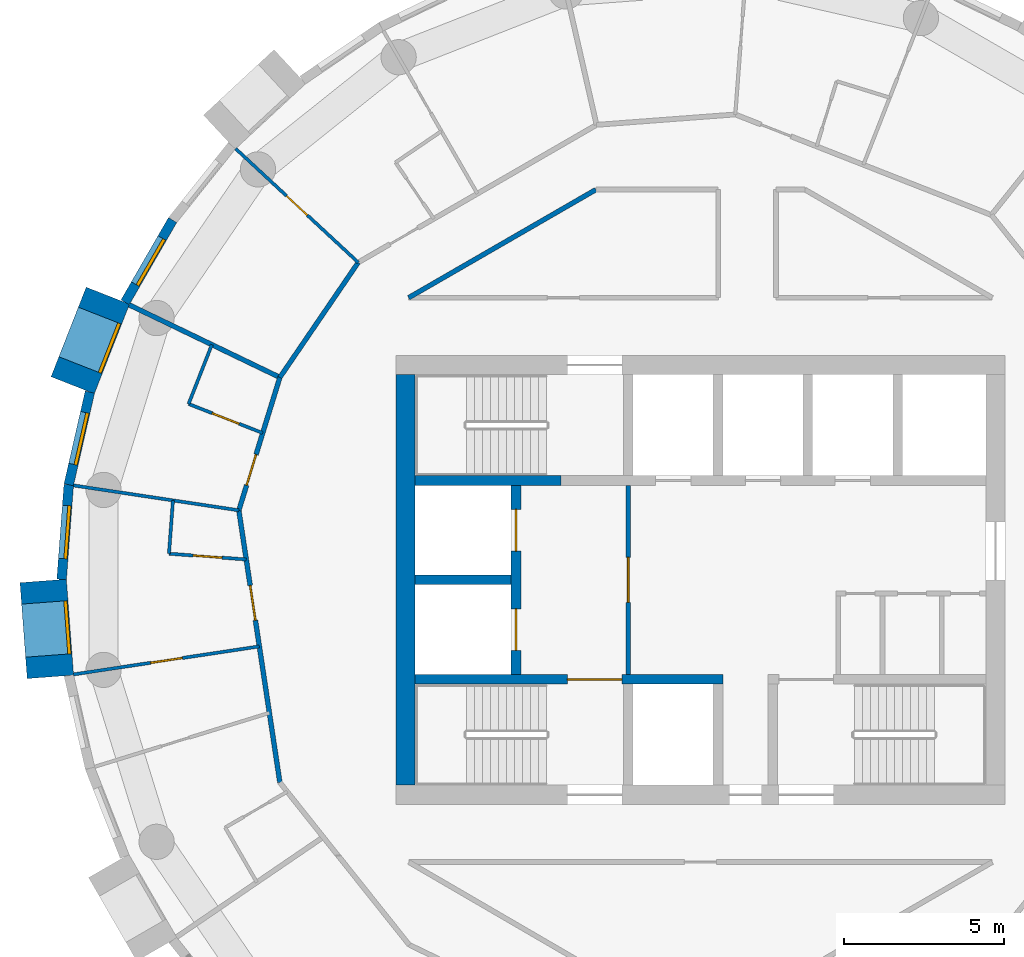
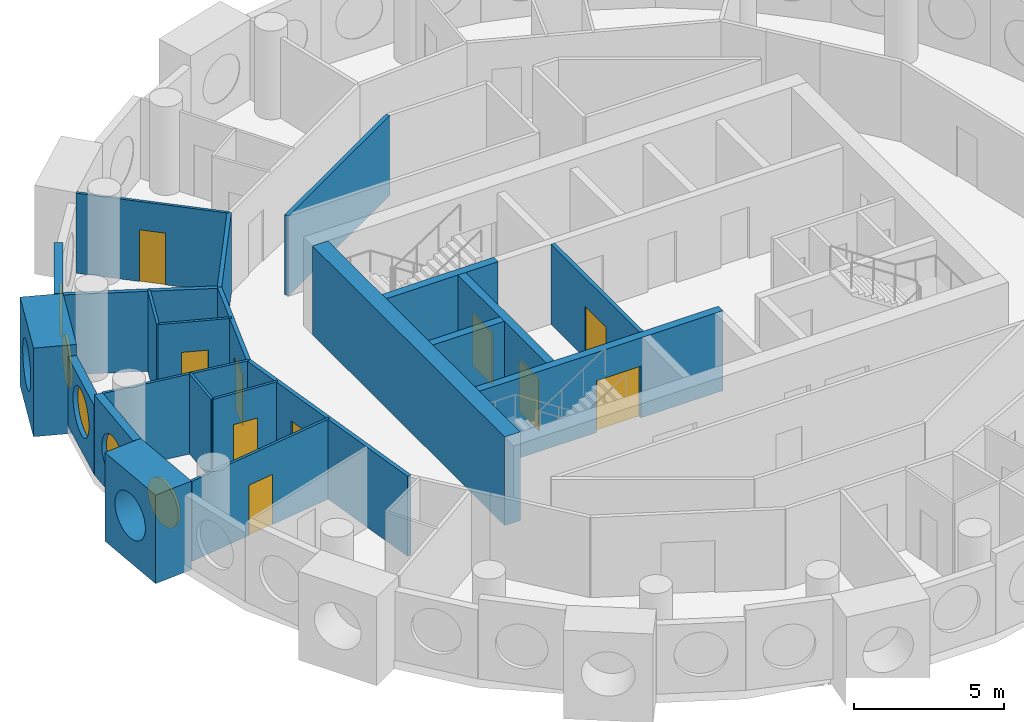
# One storey, part 5 of 11: 24 walls, 10 doors, 5 windows, 15 openings.
"""IFC4 building model written with IfcOpenShell, lengths in metres."""

from ifc_helpers import new_model, si_unit, direction, frame, frame_2d, origin, origin_2d, place, context, subcontext, project, spatial, rectangle, circle, extrude, material, layer, layer_set, type_object, element, fill, save


model = new_model("IFC4")

# Units and contexts
model_context = context("Model", 3, precision=1e-05, world=origin(), true_north=direction((0.0, 1.0)))
body_context = subcontext(model_context, "Body", "Model", "MODEL_VIEW")
ifc_project = project(units=[si_unit("LENGTHUNIT", "METRE"), si_unit("AREAUNIT", "SQUARE_METRE"), si_unit("VOLUMEUNIT", "CUBIC_METRE"), si_unit("PLANEANGLEUNIT", "RADIAN"), si_unit("MASSUNIT", "GRAM", prefix="KILO")], contexts=[model_context])

# Site, building, storey
site_placement = place(None, origin())
site = spatial("IfcSite", under=ifc_project, at=site_placement, CompositionType="ELEMENT")
building_placement = place(site_placement, origin())
building = spatial("IfcBuilding", under=site, at=building_placement, Name="Tracery Tower", CompositionType="ELEMENT")
storey_placement = place(building_placement, frame((0.0, 0.0, 267.0)))
storey = spatial("IfcBuildingStorey", under=building, at=storey_placement, Name="L69", CompositionType="ELEMENT", Elevation=267.0)

# Wall, opening, door
ifc_material_1 = material(Name="Plasterboard on steel studs", Category="steel")
ifc_layer_1 = layer(ifc_material_1, 0.14990234375)
ifc_layer_set_1 = layer_set([ifc_layer_1], Name="Core lobby partition 150")
wall_type_1 = type_object("IfcWallType", Name="Core lobby partition 150", PredefinedType="SOLIDWALL", material=ifc_layer_set_1)
wall_1_placement = place(storey_placement, frame((-2.25, -2.949951171875, 0.0), z_axis=(0.0, 0.0, 1.0), x_axis=(0.0, 1.0, 0.0)))
wall_1 = element("IfcWall", 1, at=wall_1_placement, inside=storey, type_object=wall_type_1, Name="L69 FF lobby E", PredefinedType="SOLIDWALL", context=body_context, shape_type="SweptSolid", body=[
    extrude(rectangle(XDim=5.89990234375, YDim=0.14990234375, at=frame_2d((2.949951171875, 0.0))), origin(), (0.0, 0.0, 1.0), 3.25),
])
opening_1_placement = place(wall_1_placement, frame((2.25, 0.0, 0.0)))
opening_1 = element("IfcOpeningElement", 2, at=opening_1_placement, cuts=wall_1, Name="Opening KD8", PredefinedType="OPENING", context=body_context, shape_type="SweptSolid", body=[
    extrude(rectangle(XDim=1.39990234375, YDim=2.10009765625, at=frame_2d((0.699951171875, 1.050048828125))), frame((0.0, 0.074951171875, 0.0), z_axis=(0.0, -1.0, 0.0), x_axis=(1.0, 0.0, 0.0)), (0.0, 0.0, 1.0), 0.14990234375),
])
ifc_material_2 = material(Name="Steel fire door", Category="steel")
door_type_1 = type_object("IfcDoorType", Name="Core lobby door 1400 double", OperationType="NOTDEFINED", PredefinedType="DOOR", material=ifc_material_2)
door_1_placement = place(opening_1_placement, origin())
door_1 = element("IfcDoor", 3, at=door_1_placement, inside=storey, type_object=door_type_1, Name="Fire-fighting lobby door", OperationType="DOUBLE_DOOR_SINGLE_SWING", OverallHeight=2.10009765625, OverallWidth=1.39990234375, PredefinedType="DOOR", context=body_context, shape_type="SweptSolid", body=[
    extrude(rectangle(XDim=1.39990234375, YDim=2.10009765625, at=frame_2d((0.699951171875, 1.050048828125))), frame((0.0, 0.02490234375, 0.0), z_axis=(0.0, -1.0, 0.0), x_axis=(1.0, 0.0, 0.0)), (0.0, 0.0, 1.0), 0.050048828125),
])
fill(opening_1, door_1)

# Wall
ifc_material_3 = material(Name="Concrete C40/50", Category="concrete")
ifc_layer_2 = layer(ifc_material_3, 0.60009765625)
ifc_layer_set_2 = layer_set([ifc_layer_2], Name="Core wall 600 C40")
wall_type_2 = type_object("IfcWallType", Name="Core wall 600 C40", PredefinedType="SOLIDWALL", material=ifc_layer_set_2)
wall_2_placement = place(storey_placement, frame((-9.199951171875, -6.39990234375, 0.0), z_axis=(0.0, 0.0, 1.0), x_axis=(0.0, 1.0, 0.0)))
element("IfcWall", 4, at=wall_2_placement, inside=storey, type_object=wall_type_2, Name="L69 outer W", PredefinedType="SOLIDWALL", context=body_context, shape_type="SweptSolid", body=[
    extrude(rectangle(XDim=12.7998046875, YDim=0.60009765625, at=frame_2d((6.39990234375, 0.0))), origin(), (0.0, 0.0, 1.0), 3.60009765625),
])

# Wall, opening, window
ifc_material_4 = material(Name="Precast concrete C50/60", Category="concrete")
ifc_layer_3 = layer(ifc_material_4, 1.449951171875)
ifc_layer_set_3 = layer_set([ifc_layer_3], Name="Deep-set bay unit 3000 x 3600, slab edge 350")
wall_type_3 = type_object("IfcWallType", Name="Deep-set bay unit 3000 x 3600, slab edge 350", PredefinedType="ELEMENTEDWALL", material=ifc_layer_set_3)
wall_3_placement = place(storey_placement, frame((-18.47998046875, 8.8642578125, -0.35009765625), z_axis=(0.0, 0.0, 1.0), x_axis=(-0.36537792632, -0.93085926485, 0.0)))
wall_3 = element("IfcWall", 5, at=wall_3_placement, inside=storey, type_object=wall_type_3, Name="Deep-set bay unit 19 at L69", PredefinedType="ELEMENTEDWALL", context=body_context, shape_type="SweptSolid", body=[
    extrude(rectangle(XDim=3.000244140625, YDim=1.449951171875, at=frame_2d((1.5, 0.0))), origin(), (0.0, 0.0, 1.0), 3.60009765625),
])
opening_2_placement = place(wall_3_placement, frame((1.5, 0.0, 1.89990234375)))
opening_2 = element("IfcOpeningElement", 6, at=opening_2_placement, cuts=wall_3, Name="Opening WN1", PredefinedType="OPENING", context=body_context, shape_type="SweptSolid", body=[
    extrude(circle(Radius=0.9000244140625, at=origin_2d()), frame((0.0, 0.73486328125, 0.0), z_axis=(0.0, -1.0, 0.0), x_axis=(1.0, 0.0, 0.0)), (0.0, 0.0, 1.0), 1.469970703125),
])
ifc_material_5 = material(Name="Aluminium frame with tinted double glazing", Category="aluminium")
window_type = type_object("IfcWindowType", Name="Round window 1800", PartitioningType="SINGLE_PANEL", PredefinedType="WINDOW", material=ifc_material_5)
window_1_placement = place(opening_2_placement, origin())
window_1 = element("IfcWindow", 7, at=window_1_placement, inside=storey, type_object=window_type, Name="Round window 19 at L69", OverallHeight=1.800048828125, OverallWidth=1.800048828125, PartitioningType="SINGLE_PANEL", PredefinedType="WINDOW", context=body_context, shape_type="SweptSolid", body=[
    extrude(circle(Radius=0.9000244140625, at=origin_2d()), frame((0.0, 0.69482421875, 0.0), z_axis=(0.0, -1.0, 0.0), x_axis=(1.0, 0.0, 0.0)), (0.0, 0.0, 1.0), 0.10009765625),
])
fill(opening_2, window_1)

wall_4_placement = place(storey_placement, frame((-20.49609375, -0.03173828125, -0.35009765625), z_axis=(0.0, 0.0, 1.0), x_axis=(0.074785902127, -0.997199613339, 0.0)))
wall_4 = element("IfcWall", 8, at=wall_4_placement, inside=storey, type_object=wall_type_3, Name="Deep-set bay unit 22 at L69", PredefinedType="ELEMENTEDWALL", context=body_context, shape_type="SweptSolid", body=[
    extrude(rectangle(XDim=3.0, YDim=1.449951171875, at=frame_2d((1.5, 0.0))), origin(), (0.0, 0.0, 1.0), 3.60009765625),
])
opening_3_placement = place(wall_4_placement, frame((1.5, 0.0, 1.89990234375)))
opening_3 = element("IfcOpeningElement", 9, at=opening_3_placement, cuts=wall_4, Name="Opening WN1", PredefinedType="OPENING", context=body_context, shape_type="SweptSolid", body=[
    extrude(circle(Radius=0.9000244140625, at=origin_2d()), frame((0.0, 0.73486328125, 0.0), z_axis=(0.0, -1.0, 0.0), x_axis=(1.0, 0.0, 0.0)), (0.0, 0.0, 1.0), 1.469970703125),
])
window_2_placement = place(opening_3_placement, origin())
window_2 = element("IfcWindow", 10, at=window_2_placement, inside=storey, type_object=window_type, Name="Round window 22 at L69", OverallHeight=1.800048828125, OverallWidth=1.800048828125, PartitioningType="SINGLE_PANEL", PredefinedType="WINDOW", context=body_context, shape_type="SweptSolid", body=[
    extrude(circle(Radius=0.9000244140625, at=origin_2d()), frame((0.0, 0.69482421875, 0.0), z_axis=(0.0, -1.0, 0.0), x_axis=(1.0, 0.0, 0.0)), (0.0, 0.0, 1.0), 0.10009765625),
])
fill(opening_3, window_2)

ifc_material_6 = material(Name="Precast concrete C50/60", Category="concrete")
ifc_layer_4 = layer(ifc_material_6, 0.300048828125)
ifc_layer_set_4 = layer_set([ifc_layer_4], Name="Facade panel 3000 x 2800")
wall_type_4 = type_object("IfcWallType", Name="Facade panel 3000 x 2800", PredefinedType="SOLIDWALL", material=ifc_layer_set_4)
wall_5_placement = place(storey_placement, frame((-19.0400390625, 5.857177734375, 0.0), z_axis=(0.0, 0.0, 1.0), x_axis=(-0.222529389789, -0.974925982155, 0.0)))
wall_5 = element("IfcWall", 11, at=wall_5_placement, inside=storey, type_object=wall_type_4, Name="Facade panel 20 at L69", PredefinedType="SOLIDWALL", context=body_context, shape_type="SweptSolid", body=[
    extrude(rectangle(XDim=2.962158203125, YDim=0.300048828125, at=frame_2d((1.48095703125, 0.0))), origin(), (0.0, 0.0, 1.0), 2.800048828125),
])
opening_4_placement = place(wall_5_placement, frame((1.48095703125, 0.0, 1.5498046875)))
opening_4 = element("IfcOpeningElement", 12, at=opening_4_placement, cuts=wall_5, Name="Opening WN1", PredefinedType="OPENING", context=body_context, shape_type="SweptSolid", body=[
    extrude(circle(Radius=0.9000244140625, at=origin_2d()), frame((0.0, 0.159912109375, 0.0), z_axis=(0.0, -1.0, 0.0), x_axis=(1.0, 0.0, 0.0)), (0.0, 0.0, 1.0), 0.320068359375),
])
window_3_placement = place(opening_4_placement, origin())
window_3 = element("IfcWindow", 13, at=window_3_placement, inside=storey, type_object=window_type, Name="Round window 20 at L69", OverallHeight=1.800048828125, OverallWidth=1.800048828125, PartitioningType="SINGLE_PANEL", PredefinedType="WINDOW", context=body_context, shape_type="SweptSolid", body=[
    extrude(circle(Radius=0.9000244140625, at=origin_2d()), frame((0.0, 0.1201171875, 0.0), z_axis=(0.0, -1.0, 0.0), x_axis=(1.0, 0.0, 0.0)), (0.0, 0.0, 1.0), 0.10009765625),
])
fill(opening_4, window_3)

ifc_material_7 = material(Name="Precast concrete C50/60", Category="concrete")
ifc_layer_5 = layer(ifc_material_7, 0.300048828125)
ifc_layer_set_5 = layer_set([ifc_layer_5], Name="Facade panel 3000 x 3250")
wall_type_5 = type_object("IfcWallType", Name="Facade panel 3000 x 3250", PredefinedType="SOLIDWALL", material=ifc_layer_set_5)
wall_6_placement = place(storey_placement, frame((-16.460205078125, 11.222412109375, 0.0), z_axis=(0.0, 0.0, 1.0), x_axis=(-0.499950756475, -0.86605383268, 0.0)))
wall_6 = element("IfcWall", 14, at=wall_6_placement, inside=storey, type_object=wall_type_5, Name="Facade panel 18 at L69", PredefinedType="SOLIDWALL", context=body_context, shape_type="SweptSolid", body=[
    extrude(rectangle(XDim=2.962158203125, YDim=0.300048828125, at=frame_2d((1.48095703125, 0.0))), origin(), (0.0, 0.0, 1.0), 3.25),
])
opening_5_placement = place(wall_6_placement, frame((1.48095703125, 0.0, 1.5498046875)))
opening_5 = element("IfcOpeningElement", 15, at=opening_5_placement, cuts=wall_6, Name="Opening WN1", PredefinedType="OPENING", context=body_context, shape_type="SweptSolid", body=[
    extrude(circle(Radius=0.9000244140625, at=origin_2d()), frame((0.0, 0.159912109375, 0.0), z_axis=(0.0, -1.0, 0.0), x_axis=(1.0, 0.0, 0.0)), (0.0, 0.0, 1.0), 0.320068359375),
])
window_4_placement = place(opening_5_placement, origin())
window_4 = element("IfcWindow", 16, at=window_4_placement, inside=storey, type_object=window_type, Name="Round window 18 at L69", OverallHeight=1.800048828125, OverallWidth=1.800048828125, PartitioningType="SINGLE_PANEL", PredefinedType="WINDOW", context=body_context, shape_type="SweptSolid", body=[
    extrude(circle(Radius=0.9000244140625, at=origin_2d()), frame((0.0, 0.1201171875, 0.0), z_axis=(0.0, -1.0, 0.0), x_axis=(1.0, 0.0, 0.0)), (0.0, 0.0, 1.0), 0.10009765625),
])
fill(opening_5, window_4)

wall_7_placement = place(storey_placement, frame((-19.69921875, 2.96923828125, 0.0), z_axis=(0.0, 0.0, 1.0), x_axis=(-0.07474897196, -0.997202382263, 0.0)))
wall_7 = element("IfcWall", 17, at=wall_7_placement, inside=storey, type_object=wall_type_5, Name="Facade panel 21 at L69", PredefinedType="SOLIDWALL", context=body_context, shape_type="SweptSolid", body=[
    extrude(rectangle(XDim=2.96240234375, YDim=0.300048828125, at=frame_2d((1.481201171875, 0.0))), origin(), (0.0, 0.0, 1.0), 3.25),
])
opening_6_placement = place(wall_7_placement, frame((1.48095703125, 0.0, 1.5498046875)))
opening_6 = element("IfcOpeningElement", 18, at=opening_6_placement, cuts=wall_7, Name="Opening WN1", PredefinedType="OPENING", context=body_context, shape_type="SweptSolid", body=[
    extrude(circle(Radius=0.9000244140625, at=origin_2d()), frame((0.0, 0.159912109375, 0.0), z_axis=(0.0, -1.0, 0.0), x_axis=(1.0, 0.0, 0.0)), (0.0, 0.0, 1.0), 0.320068359375),
])
window_5_placement = place(opening_6_placement, origin())
window_5 = element("IfcWindow", 19, at=window_5_placement, inside=storey, type_object=window_type, Name="Round window 21 at L69", OverallHeight=1.800048828125, OverallWidth=1.800048828125, PartitioningType="SINGLE_PANEL", PredefinedType="WINDOW", context=body_context, shape_type="SweptSolid", body=[
    extrude(circle(Radius=0.9000244140625, at=origin_2d()), frame((0.0, 0.1201171875, 0.0), z_axis=(0.0, -1.0, 0.0), x_axis=(1.0, 0.0, 0.0)), (0.0, 0.0, 1.0), 0.10009765625),
])
fill(opening_6, window_5)

# Wall, opening, door
ifc_material_8 = material(Name="Plasterboard on steel studs", Category="steel")
ifc_layer_6 = layer(ifc_material_8, 0.10009765625)
ifc_layer_set_6 = layer_set([ifc_layer_6], Name="Partition 100 stud")
wall_type_6 = type_object("IfcWallType", Name="Partition 100 stud", PredefinedType="PARTITIONING", material=ifc_layer_set_6)
wall_8_placement = place(storey_placement, frame((-14.492919921875, 13.447998046875, 0.0), z_axis=(0.0, 0.0, 1.0), x_axis=(0.732975231717, -0.680255326836, 0.0)))
wall_8 = element("IfcWall", 20, at=wall_8_placement, inside=storey, type_object=wall_type_6, Name="Stud partition RC4-048", PredefinedType="PARTITIONING", context=body_context, shape_type="SweptSolid", body=[
    extrude(rectangle(XDim=5.21435546875, YDim=0.10009765625, at=frame_2d((2.607177734375, 0.0))), origin(), (0.0, 0.0, 1.0), 3.25),
])
opening_7_placement = place(wall_8_placement, frame((2.1572265625, 0.0, 0.0)))
opening_7 = element("IfcOpeningElement", 21, at=opening_7_placement, cuts=wall_8, Name="Opening RC4-10", PredefinedType="OPENING", context=body_context, shape_type="SweptSolid", body=[
    extrude(rectangle(XDim=0.89990234375, YDim=2.10009765625, at=frame_2d((0.449951171875, 1.050048828125))), frame((0.0, 0.050048828125, 0.0), z_axis=(0.0, -1.0, 0.0), x_axis=(1.0, 0.0, 0.0)), (0.0, 0.0, 1.0), 0.10009765625),
])
ifc_material_9 = material(Name="Timber door leaf", Category="wood")
door_type_2 = type_object("IfcDoorType", Name="Door bedroom 900", OperationType="NOTDEFINED", PredefinedType="DOOR", material=ifc_material_9)
door_2_placement = place(opening_7_placement, origin())
door_2 = element("IfcDoor", 22, at=door_2_placement, inside=storey, type_object=door_type_2, Name="Bedroom door RC4-10", OperationType="SINGLE_SWING_LEFT", OverallHeight=2.10009765625, OverallWidth=0.89990234375, PredefinedType="DOOR", context=body_context, shape_type="SweptSolid", body=[
    extrude(rectangle(XDim=0.89990234375, YDim=2.10009765625, at=frame_2d((0.449951171875, 1.050048828125))), frame((0.0, 0.02490234375, 0.0), z_axis=(0.0, -1.0, 0.0), x_axis=(1.0, 0.0, 0.0)), (0.0, 0.0, 1.0), 0.050048828125),
])
fill(opening_7, door_2)

wall_9_placement = place(storey_placement, frame((-19.551025390625, -2.947021484375, 0.0), z_axis=(0.0, 0.0, 1.0), x_axis=(0.988820879867, 0.149108241014, 0.0)))
wall_9 = element("IfcWall", 23, at=wall_9_placement, inside=storey, type_object=wall_type_6, Name="Stud partition RC4-053", PredefinedType="PARTITIONING", context=body_context, shape_type="SweptSolid", body=[
    extrude(rectangle(XDim=5.861572265625, YDim=0.10009765625, at=frame_2d((2.9306640625, 0.0))), origin(), (0.0, 0.0, 1.0), 3.25),
])
opening_8_placement = place(wall_9_placement, frame((2.430419921875, 0.0, 0.0)))
opening_8 = element("IfcOpeningElement", 24, at=opening_8_placement, cuts=wall_9, Name="Opening RC4-14", PredefinedType="OPENING", context=body_context, shape_type="SweptSolid", body=[
    extrude(rectangle(XDim=1.0, YDim=2.0400390625, at=frame_2d((0.5, 1.02001953125))), frame((0.0, 0.050048828125, 0.0), z_axis=(0.0, -1.0, 0.0), x_axis=(1.0, 0.0, 0.0)), (0.0, 0.0, 1.0), 0.10009765625),
])
ifc_material_10 = material(Name="Timber door leaf", Category="wood")
door_type_3 = type_object("IfcDoorType", Name="Door communal room 1000", OperationType="NOTDEFINED", PredefinedType="DOOR", material=ifc_material_10)
door_3_placement = place(opening_8_placement, origin())
door_3 = element("IfcDoor", 25, at=door_3_placement, inside=storey, type_object=door_type_3, Name="Communal room door RC4-14", OperationType="SINGLE_SWING_RIGHT", OverallHeight=2.0400390625, OverallWidth=1.0, PredefinedType="DOOR", context=body_context, shape_type="SweptSolid", body=[
    extrude(rectangle(XDim=1.0, YDim=2.0400390625, at=frame_2d((0.5, 1.02001953125))), frame((0.0, 0.02490234375, 0.0), z_axis=(0.0, -1.0, 0.0), x_axis=(1.0, 0.0, 0.0)), (0.0, 0.0, 1.0), 0.050048828125),
])
fill(opening_8, door_3)

# Walls
wall_10_placement = place(storey_placement, frame((-19.551025390625, 2.947021484375, 0.0), z_axis=(0.0, 0.0, 1.0), x_axis=(0.98885514456, -0.14888083516, 0.0)))
element("IfcWall", 26, at=wall_10_placement, inside=storey, type_object=wall_type_6, Name="Stud partition RC4-056", PredefinedType="PARTITIONING", context=body_context, shape_type="SweptSolid", body=[
    extrude(rectangle(XDim=3.136962890625, YDim=0.10009765625, at=frame_2d((1.568359375, 0.0))), origin(), (0.0, 0.0, 1.0), 3.25),
])
ifc_material_11 = material(Name="Plasterboard on steel studs", Category="steel")
ifc_layer_7 = layer(ifc_material_11, 0.10009765625)
ifc_layer_set_7 = layer_set([ifc_layer_7], Name="Partition 100 wet wall")
wall_type_7 = type_object("IfcWallType", Name="Partition 100 wet wall", PredefinedType="PARTITIONING", material=ifc_layer_set_7)
wall_11_placement = place(storey_placement, frame((-16.572998046875, 0.818115234375, 0.0), z_axis=(0.0, 0.0, 1.0), x_axis=(0.074422099282, 0.997226830334, 0.0)))
element("IfcWall", 27, at=wall_11_placement, inside=storey, type_object=wall_type_7, Name="Wet wall RC4-054", PredefinedType="PARTITIONING", context=body_context, shape_type="SweptSolid", body=[
    extrude(rectangle(XDim=1.66650390625, YDim=0.10009765625, at=frame_2d((0.833251953125, 0.0))), origin(), (0.0, 0.0, 1.0), 3.25),
])

# Wall, opening, door
wall_12_placement = place(storey_placement, frame((-16.572998046875, 0.818115234375, 0.0), z_axis=(0.0, 0.0, 1.0), x_axis=(0.997216800215, -0.074556377121, 0.0)))
wall_12 = element("IfcWall", 28, at=wall_12_placement, inside=storey, type_object=wall_type_7, Name="Wet wall RC4-055", PredefinedType="PARTITIONING", context=body_context, shape_type="SweptSolid", body=[
    extrude(rectangle(XDim=2.416748046875, YDim=0.10009765625, at=frame_2d((1.20849609375, 0.0))), origin(), (0.0, 0.0, 1.0), 3.25),
])
opening_9_placement = place(wall_12_placement, frame((0.758056640625, 0.0, 0.0)))
opening_9 = element("IfcOpeningElement", 29, at=opening_9_placement, cuts=wall_12, Name="Opening RC4-15", PredefinedType="OPENING", context=body_context, shape_type="SweptSolid", body=[
    extrude(rectangle(XDim=0.89990234375, YDim=2.0, at=frame_2d((0.449951171875, 1.0))), frame((0.0, 0.050048828125, 0.0), z_axis=(0.0, -1.0, 0.0), x_axis=(1.0, 0.0, 0.0)), (0.0, 0.0, 1.0), 0.10009765625),
])
ifc_material_12 = material(Name="Timber door leaf", Category="wood")
door_type_4 = type_object("IfcDoorType", Name="Door shower room 900", OperationType="NOTDEFINED", PredefinedType="DOOR", material=ifc_material_12)
door_4_placement = place(opening_9_placement, origin())
door_4 = element("IfcDoor", 30, at=door_4_placement, inside=storey, type_object=door_type_4, Name="Shower room door RC4-15", OperationType="SINGLE_SWING_LEFT", OverallHeight=2.0, OverallWidth=0.89990234375, PredefinedType="DOOR", context=body_context, shape_type="SweptSolid", body=[
    extrude(rectangle(XDim=0.89990234375, YDim=2.0, at=frame_2d((0.449951171875, 1.0))), frame((0.0, 0.02490234375, 0.0), z_axis=(0.0, -1.0, 0.0), x_axis=(1.0, 0.0, 0.0)), (0.0, 0.0, 1.0), 0.050048828125),
])
fill(opening_9, door_4)

# Walls
wall_13_placement = place(storey_placement, frame((-16.448974609375, 2.47998046875, 0.0), z_axis=(0.0, 0.0, 1.0), x_axis=(0.988807590235, -0.149196345444, 0.0)))
element("IfcWall", 31, at=wall_13_placement, inside=storey, type_object=wall_type_7, Name="Wet wall RC4-058", PredefinedType="PARTITIONING", context=body_context, shape_type="SweptSolid", body=[
    extrude(rectangle(XDim=2.078125, YDim=0.10009765625, at=frame_2d((1.0390625, 0.0))), origin(), (0.0, 0.0, 1.0), 3.25),
])
wall_14_placement = place(storey_placement, frame((-15.9609375, 5.488037109375, 0.0), z_axis=(0.0, 0.0, 1.0), x_axis=(0.365427989951, 0.930839612479, 0.0)))
element("IfcWall", 32, at=wall_14_placement, inside=storey, type_object=wall_type_7, Name="Wet wall RC4-059", PredefinedType="PARTITIONING", context=body_context, shape_type="SweptSolid", body=[
    extrude(rectangle(XDim=1.986328125, YDim=0.10009765625, at=frame_2d((0.9931640625, 0.0))), origin(), (0.0, 0.0, 1.0), 3.25),
])

# Wall, opening, door
wall_15_placement = place(storey_placement, frame((-15.9609375, 5.488037109375, 0.0), z_axis=(0.0, 0.0, 1.0), x_axis=(0.930878137474, -0.365329841614, 0.0)))
wall_15 = element("IfcWall", 33, at=wall_15_placement, inside=storey, type_object=wall_type_7, Name="Wet wall RC4-060", PredefinedType="PARTITIONING", context=body_context, shape_type="SweptSolid", body=[
    extrude(rectangle(XDim=2.482666015625, YDim=0.10009765625, at=frame_2d((1.2412109375, 0.0))), origin(), (0.0, 0.0, 1.0), 3.25),
])
opening_10_placement = place(wall_15_placement, frame((0.791015625, 0.0, 0.0)))
opening_10 = element("IfcOpeningElement", 34, at=opening_10_placement, cuts=wall_15, Name="Opening RC4-17", PredefinedType="OPENING", context=body_context, shape_type="SweptSolid", body=[
    extrude(rectangle(XDim=0.89990234375, YDim=2.0400390625, at=frame_2d((0.449951171875, 1.02001953125))), frame((0.0, 0.050048828125, 0.0), z_axis=(0.0, -1.0, 0.0), x_axis=(1.0, 0.0, 0.0)), (0.0, 0.0, 1.0), 0.10009765625),
])
ifc_material_13 = material(Name="Timber door leaf", Category="wood")
door_type_5 = type_object("IfcDoorType", Name="Door en-suite 900", OperationType="NOTDEFINED", PredefinedType="DOOR", material=ifc_material_13)
door_5_placement = place(opening_10_placement, origin())
door_5 = element("IfcDoor", 35, at=door_5_placement, inside=storey, type_object=door_type_5, Name="En-suite door RC4-17", OperationType="SINGLE_SWING_LEFT", OverallHeight=2.0400390625, OverallWidth=0.89990234375, PredefinedType="DOOR", context=body_context, shape_type="SweptSolid", body=[
    extrude(rectangle(XDim=0.89990234375, YDim=2.0400390625, at=frame_2d((0.449951171875, 1.02001953125))), frame((0.0, 0.02490234375, 0.0), z_axis=(0.0, -1.0, 0.0), x_axis=(1.0, 0.0, 0.0)), (0.0, 0.0, 1.0), 0.050048828125),
])
fill(opening_10, door_5)

# Walls
ifc_material_14 = material(Name="Plasterboard on steel studs", Category="steel")
ifc_layer_8 = layer(ifc_material_14, 0.14990234375)
ifc_layer_set_8 = layer_set([ifc_layer_8], Name="Partition 150 acoustic unit wall")
wall_type_8 = type_object("IfcWallType", Name="Partition 150 acoustic unit wall", PredefinedType="PARTITIONING", material=ifc_layer_set_8)
wall_16_placement = place(storey_placement, frame((-17.81298828125, 8.577880859375, 0.0), z_axis=(0.0, 0.0, 1.0), x_axis=(0.901040981828, -0.433733961164, 0.0)))
element("IfcWall", 36, at=wall_16_placement, inside=storey, type_object=wall_type_8, Name="Unit wall RC4-052", PredefinedType="PARTITIONING", context=body_context, shape_type="SweptSolid", body=[
    extrude(rectangle(XDim=5.2138671875, YDim=0.14990234375, at=frame_2d((2.60693359375, 0.0))), origin(), (0.0, 0.0, 1.0), 3.25),
])
ifc_material_15 = material(Name="Plasterboard on steel studs", Category="steel")
ifc_layer_9 = layer(ifc_material_15, 0.14990234375)
ifc_layer_set_9 = layer_set([ifc_layer_9], Name="Partition 150 corridor wall")
wall_type_9 = type_object("IfcWallType", Name="Partition 150 corridor wall", PredefinedType="PARTITIONING", material=ifc_layer_set_9)
wall_17_placement = place(storey_placement, frame((-9.099365234375, 8.80078125, 0.0), z_axis=(0.0, 0.0, 1.0), x_axis=(0.866068593998, 0.499925184894, 0.0)))
element("IfcWall", 37, at=wall_17_placement, inside=storey, type_object=wall_type_9, Name="Corridor wall RC4-022", PredefinedType="PARTITIONING", context=body_context, shape_type="SweptSolid", body=[
    extrude(rectangle(XDim=6.7412109375, YDim=0.14990234375, at=frame_2d((3.37060546875, 0.0))), origin(), (0.0, 0.0, 1.0), 3.25),
])
wall_18_placement = place(storey_placement, frame((-13.114990234375, 6.31591796875, 0.0), z_axis=(0.0, 0.0, 1.0), x_axis=(0.563305396331, 0.826248770325, 0.0)))
element("IfcWall", 38, at=wall_18_placement, inside=storey, type_object=wall_type_9, Name="Corridor wall RC4-030", PredefinedType="PARTITIONING", context=body_context, shape_type="SweptSolid", body=[
    extrude(rectangle(XDim=4.3388671875, YDim=0.14990234375, at=frame_2d((2.16943359375, 0.0))), origin(), (0.0, 0.0, 1.0), 3.25),
])

# Wall, opening, door
wall_19_placement = place(storey_placement, frame((-14.394287109375, 2.169921875, 0.0), z_axis=(0.0, 0.0, 1.0), x_axis=(0.149099970299, -0.988822127006, 0.0)))
wall_19 = element("IfcWall", 39, at=wall_19_placement, inside=storey, type_object=wall_type_9, Name="Corridor wall RC4-031", PredefinedType="PARTITIONING", context=body_context, shape_type="SweptSolid", body=[
    extrude(rectangle(XDim=8.581787109375, YDim=0.14990234375, at=frame_2d((4.291015625, 0.0))), origin(), (0.0, 0.0, 1.0), 3.25),
])
opening_11_placement = place(wall_19_placement, frame((2.3701171875, 0.0, 0.0)))
opening_11 = element("IfcOpeningElement", 40, at=opening_11_placement, cuts=wall_19, Name="Opening RC4-13", PredefinedType="OPENING", context=body_context, shape_type="SweptSolid", body=[
    extrude(rectangle(XDim=1.10009765625, YDim=2.10009765625, at=frame_2d((0.550048828125, 1.050048828125))), frame((0.0, 0.074951171875, 0.0), z_axis=(0.0, -1.0, 0.0), x_axis=(1.0, 0.0, 0.0)), (0.0, 0.0, 1.0), 0.14990234375),
])
ifc_material_16 = material(Name="Timber door leaf", Category="wood")
door_type_6 = type_object("IfcDoorType", Name="Door cluster entrance 1100", OperationType="NOTDEFINED", PredefinedType="DOOR", material=ifc_material_16)
door_6_placement = place(opening_11_placement, origin())
door_6 = element("IfcDoor", 41, at=door_6_placement, inside=storey, type_object=door_type_6, Name="Cluster entrance door RC4-13", OperationType="SINGLE_SWING_RIGHT", OverallHeight=2.10009765625, OverallWidth=1.10009765625, PredefinedType="DOOR", context=body_context, shape_type="SweptSolid", body=[
    extrude(rectangle(XDim=1.10009765625, YDim=2.10009765625, at=frame_2d((0.550048828125, 1.050048828125))), frame((0.0, 0.02490234375, 0.0), z_axis=(0.0, -1.0, 0.0), x_axis=(1.0, 0.0, 0.0)), (0.0, 0.0, 1.0), 0.050048828125),
])
fill(opening_11, door_6)

wall_20_placement = place(storey_placement, frame((-14.39404296875, 2.169921875, 0.0), z_axis=(0.0, 0.0, 1.0), x_axis=(0.294793541578, 0.955560970239, 0.0)))
wall_20 = element("IfcWall", 42, at=wall_20_placement, inside=storey, type_object=wall_type_9, Name="Corridor wall RC4-032", PredefinedType="PARTITIONING", context=body_context, shape_type="SweptSolid", body=[
    extrude(rectangle(XDim=4.3388671875, YDim=0.14990234375, at=frame_2d((2.16943359375, 0.0))), origin(), (0.0, 0.0, 1.0), 3.25),
])
opening_12_placement = place(wall_20_placement, frame((0.820068359375, 0.0, 0.0)))
opening_12 = element("IfcOpeningElement", 43, at=opening_12_placement, cuts=wall_20, Name="Opening RC4-16", PredefinedType="OPENING", context=body_context, shape_type="SweptSolid", body=[
    extrude(rectangle(XDim=1.0, YDim=2.10009765625, at=frame_2d((0.5, 1.050048828125))), frame((0.0, 0.074951171875, 0.0), z_axis=(0.0, -1.0, 0.0), x_axis=(1.0, 0.0, 0.0)), (0.0, 0.0, 1.0), 0.14990234375),
])
ifc_material_17 = material(Name="Timber door leaf", Category="wood")
door_type_7 = type_object("IfcDoorType", Name="Door unit entrance 1000", OperationType="NOTDEFINED", PredefinedType="DOOR", material=ifc_material_17)
door_7_placement = place(opening_12_placement, origin())
door_7 = element("IfcDoor", 44, at=door_7_placement, inside=storey, type_object=door_type_7, Name="Unit entrance door RC4-16", OperationType="SINGLE_SWING_RIGHT", OverallHeight=2.10009765625, OverallWidth=1.0, PredefinedType="DOOR", context=body_context, shape_type="SweptSolid", body=[
    extrude(rectangle(XDim=1.0, YDim=2.10009765625, at=frame_2d((0.5, 1.050048828125))), frame((0.0, 0.02490234375, 0.0), z_axis=(0.0, -1.0, 0.0), x_axis=(1.0, 0.0, 0.0)), (0.0, 0.0, 1.0), 0.050048828125),
])
fill(opening_12, door_7)

# Wall
ifc_material_18 = material(Name="Concrete C40/50", Category="concrete")
ifc_layer_10 = layer(ifc_material_18, 0.300048828125)
ifc_layer_set_10 = layer_set([ifc_layer_10], Name="Shaft wall 300 C40")
wall_type_10 = type_object("IfcWallType", Name="Shaft wall 300 C40", PredefinedType="SOLIDWALL", material=ifc_layer_set_10)
wall_21_placement = place(storey_placement, frame((-8.89990234375, 0.0, 0.0), z_axis=(0.0, 0.0, 1.0), x_axis=(1.0, 0.0, 0.0)))
element("IfcWall", 45, at=wall_21_placement, inside=storey, type_object=wall_type_10, Name="L69 FF split", PredefinedType="SOLIDWALL", context=body_context, shape_type="SweptSolid", body=[
    extrude(rectangle(XDim=3.0, YDim=0.300048828125, at=frame_2d((1.5, 0.0))), origin(), (0.0, 0.0, 1.0), 3.25),
])

# Wall, openings, doors
wall_22_placement = place(storey_placement, frame((-5.75, -2.949951171875, 0.0), z_axis=(0.0, 0.0, 1.0), x_axis=(0.0, 1.0, 0.0)))
wall_22 = element("IfcWall", 46, at=wall_22_placement, inside=storey, type_object=wall_type_10, Name="L69 FF doors", PredefinedType="SOLIDWALL", context=body_context, shape_type="SweptSolid", body=[
    extrude(rectangle(XDim=5.89990234375, YDim=0.300048828125, at=frame_2d((2.949951171875, 0.0))), origin(), (0.0, 0.0, 1.0), 3.25),
])
opening_13_placement = place(wall_22_placement, frame((0.75, 0.0, 0.0)))
opening_13 = element("IfcOpeningElement", 47, at=opening_13_placement, cuts=wall_22, Name="Opening KD54", PredefinedType="OPENING", context=body_context, shape_type="SweptSolid", body=[
    extrude(rectangle(XDim=1.300048828125, YDim=2.10009765625, at=frame_2d((0.64990234375, 1.050048828125))), frame((0.0, 0.14990234375, 0.0), z_axis=(0.0, -1.0, 0.0), x_axis=(1.0, 0.0, 0.0)), (0.0, 0.0, 1.0), 0.300048828125),
])
opening_14_placement = place(wall_22_placement, frame((3.85009765625, 0.0, 0.0)))
opening_14 = element("IfcOpeningElement", 48, at=opening_14_placement, cuts=wall_22, Name="Opening KD55", PredefinedType="OPENING", context=body_context, shape_type="SweptSolid", body=[
    extrude(rectangle(XDim=1.300048828125, YDim=2.10009765625, at=frame_2d((0.64990234375, 1.050048828125))), frame((0.0, 0.14990234375, 0.0), z_axis=(0.0, -1.0, 0.0), x_axis=(1.0, 0.0, 0.0)), (0.0, 0.0, 1.0), 0.300048828125),
])
ifc_material_19 = material(Name="Steel fire door", Category="steel")
door_type_8 = type_object("IfcDoorType", Name="Landing door FF 1300", OperationType="NOTDEFINED", PredefinedType="DOOR", material=ifc_material_19)
door_8_placement = place(opening_13_placement, origin())
door_8 = element("IfcDoor", 49, at=door_8_placement, inside=storey, type_object=door_type_8, Name="Landing door FF1", OperationType="SLIDING_TO_LEFT", OverallHeight=2.10009765625, OverallWidth=1.300048828125, PredefinedType="DOOR", context=body_context, shape_type="SweptSolid", body=[
    extrude(rectangle(XDim=1.300048828125, YDim=2.10009765625, at=frame_2d((0.64990234375, 1.050048828125))), frame((0.0, 0.02490234375, 0.0), z_axis=(0.0, -1.0, 0.0), x_axis=(1.0, 0.0, 0.0)), (0.0, 0.0, 1.0), 0.050048828125),
])
fill(opening_13, door_8)
door_9_placement = place(opening_14_placement, origin())
door_9 = element("IfcDoor", 50, at=door_9_placement, inside=storey, type_object=door_type_8, Name="Landing door FF2", OperationType="SLIDING_TO_RIGHT", OverallHeight=2.10009765625, OverallWidth=1.300048828125, PredefinedType="DOOR", context=body_context, shape_type="SweptSolid", body=[
    extrude(rectangle(XDim=1.300048828125, YDim=2.10009765625, at=frame_2d((0.64990234375, 1.050048828125))), frame((0.0, 0.02490234375, 0.0), z_axis=(0.0, -1.0, 0.0), x_axis=(1.0, 0.0, 0.0)), (0.0, 0.0, 1.0), 0.050048828125),
])
fill(opening_14, door_9)

# Wall, opening, door
ifc_material_20 = material(Name="Concrete C40/50", Category="concrete")
ifc_layer_11 = layer(ifc_material_20, 0.300048828125)
ifc_layer_set_11 = layer_set([ifc_layer_11], Name="Stair wall 300 C40")
wall_type_11 = type_object("IfcWallType", Name="Stair wall 300 C40", PredefinedType="SOLIDWALL", material=ifc_layer_set_11)
wall_23_placement = place(storey_placement, frame((-8.89990234375, -3.10009765625, 0.0), z_axis=(0.0, 0.0, 1.0), x_axis=(1.0, 0.0, 0.0)))
wall_23 = element("IfcWall", 51, at=wall_23_placement, inside=storey, type_object=wall_type_11, Name="L69 row S", PredefinedType="SOLIDWALL", context=body_context, shape_type="SweptSolid", body=[
    extrude(rectangle(XDim=9.599853515625, YDim=0.300048828125, at=frame_2d((4.7998046875, 0.0))), origin(), (0.0, 0.0, 1.0), 3.25),
])
opening_15_placement = place(wall_23_placement, frame((4.75, 0.0, 0.0)))
opening_15 = element("IfcOpeningElement", 52, at=opening_15_placement, cuts=wall_23, Name="Opening KD3", PredefinedType="OPENING", context=body_context, shape_type="SweptSolid", body=[
    extrude(rectangle(XDim=1.699951171875, YDim=2.10009765625, at=frame_2d((0.85009765625, 1.050048828125))), frame((0.0, 0.14990234375, 0.0), z_axis=(0.0, -1.0, 0.0), x_axis=(1.0, 0.0, 0.0)), (0.0, 0.0, 1.0), 0.300048828125),
])
ifc_material_21 = material(Name="Steel fire door", Category="steel")
door_type_9 = type_object("IfcDoorType", Name="Core stair door 1700 double", OperationType="NOTDEFINED", PredefinedType="DOOR", material=ifc_material_21)
door_10_placement = place(opening_15_placement, origin())
door_10 = element("IfcDoor", 53, at=door_10_placement, inside=storey, type_object=door_type_9, Name="Stair door ST1", OperationType="DOUBLE_DOOR_SINGLE_SWING", OverallHeight=2.10009765625, OverallWidth=1.699951171875, PredefinedType="DOOR", context=body_context, shape_type="SweptSolid", body=[
    extrude(rectangle(XDim=1.699951171875, YDim=2.10009765625, at=frame_2d((0.85009765625, 1.050048828125))), frame((0.0, 0.02490234375, 0.0), z_axis=(0.0, -1.0, 0.0), x_axis=(1.0, 0.0, 0.0)), (0.0, 0.0, 1.0), 0.050048828125),
])
fill(opening_15, door_10)

# Wall
wall_24_placement = place(storey_placement, frame((-8.89990234375, 3.10009765625, 0.0), z_axis=(0.0, 0.0, 1.0), x_axis=(1.0, 0.0, 0.0)))
element("IfcWall", 54, at=wall_24_placement, inside=storey, type_object=wall_type_11, Name="L69 row N W", PredefinedType="SOLIDWALL", context=body_context, shape_type="SweptSolid", body=[
    extrude(rectangle(XDim=4.5498046875, YDim=0.300048828125, at=frame_2d((2.27490234375, 0.0))), origin(), (0.0, 0.0, 1.0), 3.25),
])

save(model, "model.ifc")
